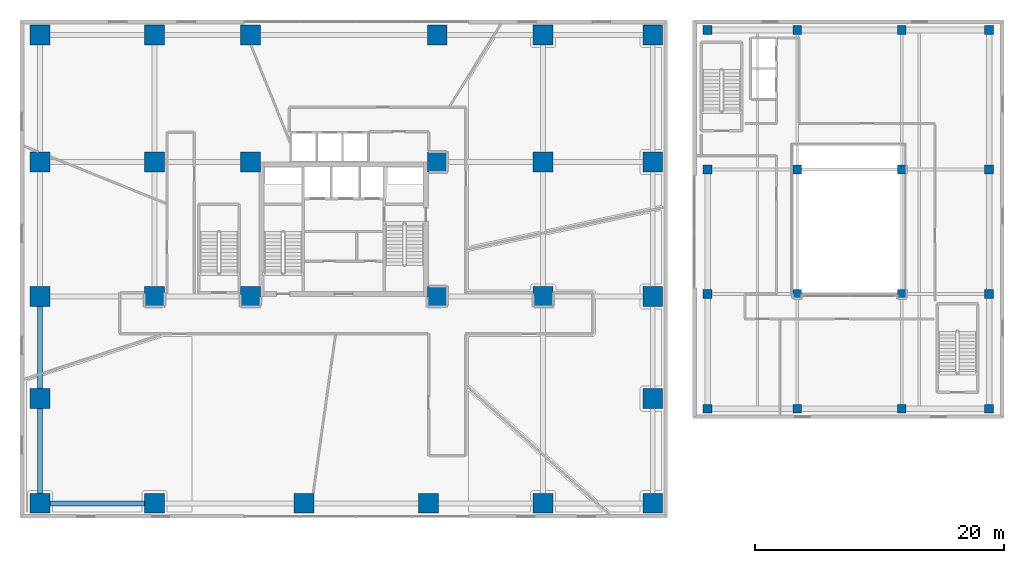
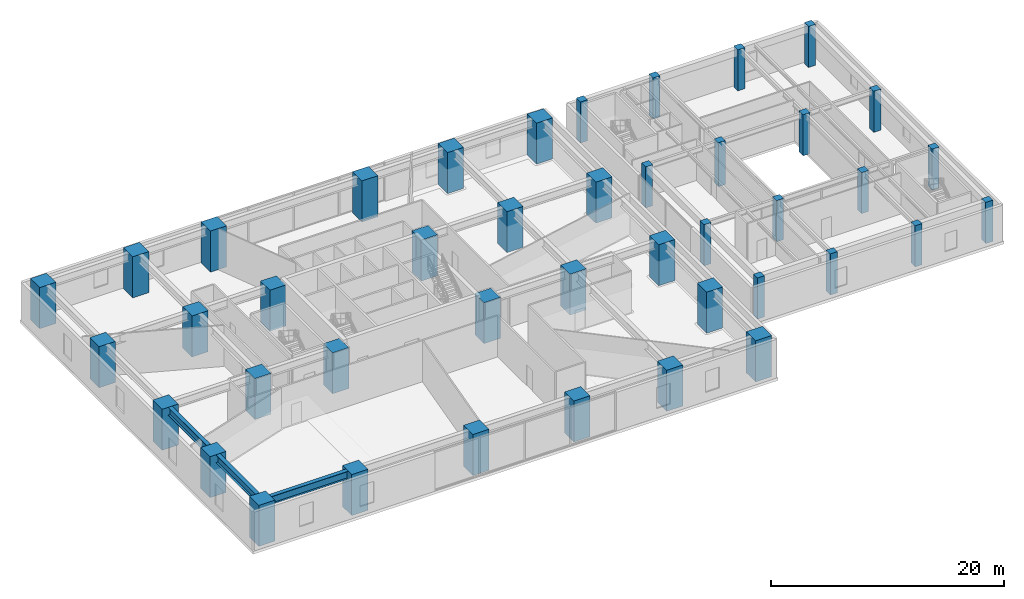
# One storey, part 1 of 24: 42 columns, 3 beams.
"""IFC4 building model written with IfcOpenShell, lengths in metres."""

from ifc_helpers import new_model, si_unit, direction, frame, origin, origin_2d, place, context, subcontext, project, spatial, rectangle, i_section, extrude, material, material_profile, profile_set, type_object, element, save


model = new_model("IFC4")

# Units and contexts
model_context = context("Model", 3, precision=1e-05, world=origin(), true_north=direction((0.0, 1.0)))
body_context = subcontext(model_context, "Body", "Model", "MODEL_VIEW")
ifc_project = project(units=[si_unit("LENGTHUNIT", "METRE"), si_unit("AREAUNIT", "SQUARE_METRE"), si_unit("VOLUMEUNIT", "CUBIC_METRE"), si_unit("PLANEANGLEUNIT", "RADIAN"), si_unit("MASSUNIT", "GRAM", prefix="KILO")], contexts=[model_context])

# Site, building, storey
site_placement = place(None, origin())
site = spatial("IfcSite", under=ifc_project, at=site_placement, CompositionType="ELEMENT")
building_placement = place(site_placement, origin())
building = spatial("IfcBuilding", under=site, at=building_placement, Name="Talar Marvaseh", CompositionType="ELEMENT")
storey_placement = place(building_placement, frame((0.0, 0.0, 9.800048828125)))
storey = spatial("IfcBuildingStorey", under=building, at=storey_placement, Name="L02", CompositionType="ELEMENT", Elevation=9.800048828125)

# Columns
ifc_material_1 = material(Name="Concrete C40/50", Category="concrete")
ifc_material_profile_1 = material_profile(ifc_material_1, rectangle(XDim=0.699951171875, YDim=0.699951171875, at=origin_2d()), Name="RC700x700")
ifc_profile_set_1 = profile_set([ifc_material_profile_1], Name="Concrete C40/50")
column_type_1 = type_object("IfcColumnType", Name="Market Hall Column RC700x700", PredefinedType="COLUMN", material=ifc_profile_set_1)
for number, where, z_axis, x_axis, name in (
    (1, (55.199951171875, 16.800048828125, 0.0), (0.0, 0.0, 1.0), (1.0, 0.0, 0.0), "L02 Market Hall Column RC700x700"),
    (2, (55.199951171875, 26.0, 0.0), (0.0, 0.0, 1.0), (1.0, 0.0, 0.0), "L02 Market Hall Column RC700x700"),
    (3, (55.199951171875, 36.0, 0.0), (0.0, 0.0, 1.0), (1.0, 0.0, 0.0), "L02 Market Hall Column RC700x700"),
    (4, (55.199951171875, 47.199951171875, 0.0), (0.0, 0.0, 1.0), (1.0, 0.0, 0.0), "L02 Market Hall Column RC700x700"),
    (5, (62.39990234375, 16.800048828125, 0.0), (0.0, 0.0, 1.0), (1.0, 0.0, 0.0), "L02 Market Hall Column RC700x700"),
    (6, (62.39990234375, 26.0, 0.0), (0.0, 0.0, 1.0), (1.0, 0.0, 0.0), "L02 Market Hall Column RC700x700"),
):
    element("IfcColumn", number, at=place(storey_placement, frame(where, z_axis=z_axis, x_axis=x_axis)), inside=storey, type_object=column_type_1, Name=name, PredefinedType="COLUMN", context=body_context, shape_type="SweptSolid", body=[
        extrude(rectangle(XDim=0.699951171875, YDim=0.699951171875, at=origin_2d()), origin(), (0.0, 0.0, 1.0), 4.300048828125),
    ])
column_placement = place(storey_placement, frame((62.39990234375, 36.0, -0.300048828125), z_axis=(0.0, 0.0, 1.0), x_axis=(1.0, 0.0, 0.0)))
element("IfcColumn", 7, at=column_placement, inside=storey, type_object=column_type_1, Name="L02 Market Hall Column RC700x700", PredefinedType="COLUMN", context=body_context, shape_type="SweptSolid", body=[
    extrude(rectangle(XDim=0.699951171875, YDim=0.699951171875, at=origin_2d()), origin(), (0.0, 0.0, 1.0), 4.60009765625),
])
for number, where, z_axis, x_axis, name in (
    (8, (62.39990234375, 47.199951171875, 0.0), (0.0, 0.0, 1.0), (1.0, 0.0, 0.0), "L02 Market Hall Column RC700x700"),
    (9, (70.800048828125, 16.800048828125, 0.0), (0.0, 0.0, 1.0), (1.0, 0.0, 0.0), "L02 Market Hall Column RC700x700"),
    (10, (70.800048828125, 26.0, 0.0), (0.0, 0.0, 1.0), (1.0, 0.0, 0.0), "L02 Market Hall Column RC700x700"),
    (11, (70.800048828125, 36.0, 0.0), (0.0, 0.0, 1.0), (1.0, 0.0, 0.0), "L02 Market Hall Column RC700x700"),
    (12, (70.800048828125, 47.199951171875, 0.0), (0.0, 0.0, 1.0), (1.0, 0.0, 0.0), "L02 Market Hall Column RC700x700"),
    (13, (77.800048828125, 16.800048828125, 0.0), (0.0, 0.0, 1.0), (1.0, 0.0, 0.0), "L02 Market Hall Column RC700x700"),
    (14, (77.800048828125, 26.0, 0.0), (0.0, 0.0, 1.0), (1.0, 0.0, 0.0), "L02 Market Hall Column RC700x700"),
    (15, (77.800048828125, 36.0, 0.0), (0.0, 0.0, 1.0), (1.0, 0.0, 0.0), "L02 Market Hall Column RC700x700"),
    (16, (77.800048828125, 47.199951171875, 0.0), (0.0, 0.0, 1.0), (1.0, 0.0, 0.0), "L02 Market Hall Column RC700x700"),
):
    element("IfcColumn", number, at=place(storey_placement, frame(where, z_axis=z_axis, x_axis=x_axis)), inside=storey, type_object=column_type_1, Name=name, PredefinedType="COLUMN", context=body_context, shape_type="SweptSolid", body=[
        extrude(rectangle(XDim=0.699951171875, YDim=0.699951171875, at=origin_2d()), origin(), (0.0, 0.0, 1.0), 4.300048828125),
    ])
ifc_material_2 = material(Name="Concrete C70/85", Category="concrete")
ifc_material_profile_2 = material_profile(ifc_material_2, rectangle(XDim=1.60009765625, YDim=1.60009765625, at=origin_2d()), Name="RC1600x1600")
ifc_profile_set_2 = profile_set([ifc_material_profile_2], Name="Concrete C70/85")
column_type_2 = type_object("IfcColumnType", Name="Tower Mega Column RC1600x1600", PredefinedType="COLUMN", material=ifc_profile_set_2)
for number, where, z_axis, x_axis, name in (
    (17, (1.60009765625, 9.199951171875, 0.0), (0.0, 0.0, 1.0), (1.0, 0.0, 0.0), "L02 Tower Mega Column RC1600x1600"),
    (18, (1.60009765625, 17.60009765625, 0.0), (0.0, 0.0, 1.0), (1.0, 0.0, 0.0), "L02 Tower Mega Column RC1600x1600"),
    (19, (1.60009765625, 25.800048828125, 0.0), (0.0, 0.0, 1.0), (1.0, 0.0, 0.0), "L02 Tower Mega Column RC1600x1600"),
    (20, (1.60009765625, 36.60009765625, 0.0), (0.0, 0.0, 1.0), (1.0, 0.0, 0.0), "L02 Tower Mega Column RC1600x1600"),
    (21, (1.60009765625, 46.800048828125, 0.0), (0.0, 0.0, 1.0), (1.0, 0.0, 0.0), "L02 Tower Mega Column RC1600x1600"),
    (22, (50.800048828125, 9.199951171875, 0.0), (0.0, 0.0, 1.0), (1.0, 0.0, 0.0), "L02 Tower Mega Column RC1600x1600"),
    (23, (50.800048828125, 17.60009765625, 0.0), (0.0, 0.0, 1.0), (1.0, 0.0, 0.0), "L02 Tower Mega Column RC1600x1600"),
    (24, (50.800048828125, 25.800048828125, 0.0), (0.0, 0.0, 1.0), (1.0, 0.0, 0.0), "L02 Tower Mega Column RC1600x1600"),
    (25, (50.800048828125, 36.60009765625, 0.0), (0.0, 0.0, 1.0), (1.0, 0.0, 0.0), "L02 Tower Mega Column RC1600x1600"),
    (26, (50.800048828125, 46.800048828125, 0.0), (0.0, 0.0, 1.0), (1.0, 0.0, 0.0), "L02 Tower Mega Column RC1600x1600"),
    (27, (10.800048828125, 9.199951171875, 0.0), (0.0, 0.0, 1.0), (1.0, 0.0, 0.0), "L02 Tower Mega Column RC1600x1600"),
    (28, (22.800048828125, 9.199951171875, 0.0), (0.0, 0.0, 1.0), (1.0, 0.0, 0.0), "L02 Tower Mega Column RC1600x1600"),
    (29, (32.800048828125, 9.199951171875, 0.0), (0.0, 0.0, 1.0), (1.0, 0.0, 0.0), "L02 Tower Mega Column RC1600x1600"),
    (30, (42.0, 9.199951171875, 0.0), (0.0, 0.0, 1.0), (1.0, 0.0, 0.0), "L02 Tower Mega Column RC1600x1600"),
    (31, (10.800048828125, 46.800048828125, 0.0), (0.0, 0.0, 1.0), (1.0, 0.0, 0.0), "L02 Tower Mega Column RC1600x1600"),
    (32, (18.5, 46.800048828125, 0.0), (0.0, 0.0, 1.0), (1.0, 0.0, 0.0), "L02 Tower Mega Column RC1600x1600"),
    (33, (33.5, 46.800048828125, 0.0), (0.0, 0.0, 1.0), (1.0, 0.0, 0.0), "L02 Tower Mega Column RC1600x1600"),
    (34, (42.0, 46.800048828125, 0.0), (0.0, 0.0, 1.0), (1.0, 0.0, 0.0), "L02 Tower Mega Column RC1600x1600"),
    (35, (10.800048828125, 25.800048828125, 0.0), (0.0, 0.0, 1.0), (1.0, 0.0, 0.0), "L02 Tower Mega Column RC1600x1600"),
    (36, (10.800048828125, 36.60009765625, 0.0), (0.0, 0.0, 1.0), (1.0, 0.0, 0.0), "L02 Tower Mega Column RC1600x1600"),
    (37, (18.5, 25.800048828125, 0.0), (0.0, 0.0, 1.0), (1.0, 0.0, 0.0), "L02 Tower Mega Column RC1600x1600"),
    (38, (18.5, 36.60009765625, 0.0), (0.0, 0.0, 1.0), (1.0, 0.0, 0.0), "L02 Tower Mega Column RC1600x1600"),
    (39, (33.5, 25.800048828125, 0.0), (0.0, 0.0, 1.0), (1.0, 0.0, 0.0), "L02 Tower Mega Column RC1600x1600"),
    (40, (33.5, 36.60009765625, 0.0), (0.0, 0.0, 1.0), (1.0, 0.0, 0.0), "L02 Tower Mega Column RC1600x1600"),
    (41, (42.0, 25.800048828125, 0.0), (0.0, 0.0, 1.0), (1.0, 0.0, 0.0), "L02 Tower Mega Column RC1600x1600"),
    (42, (42.0, 36.60009765625, 0.0), (0.0, 0.0, 1.0), (1.0, 0.0, 0.0), "L02 Tower Mega Column RC1600x1600"),
):
    element("IfcColumn", number, at=place(storey_placement, frame(where, z_axis=z_axis, x_axis=x_axis)), inside=storey, type_object=column_type_2, Name=name, PredefinedType="COLUMN", context=body_context, shape_type="SweptSolid", body=[
        extrude(rectangle(XDim=1.60009765625, YDim=1.60009765625, at=origin_2d()), origin(), (0.0, 0.0, 1.0), 4.300048828125),
    ])

# Beams
ifc_material_3 = material(Name="Steel S355", Category="steel")
ifc_material_profile_3 = material_profile(ifc_material_3, i_section(OverallWidth=0.39990234375, OverallDepth=0.85498046875, WebThickness=0.018310546875, FlangeThickness=0.029296875, at=origin_2d()), Name="W840x299")
ifc_profile_set_3 = profile_set([ifc_material_profile_3], Name="Steel S355")
beam_type = type_object("IfcBeamType", Name="Concourse Primary Girder W840x299", PredefinedType="BEAM", material=ifc_profile_set_3)
beam_1_placement = place(storey_placement, frame((1.60009765625, 9.199951171875, 3.87255859375), z_axis=(1.0, 0.0, 0.0), x_axis=(0.0, 1.0, 0.0)))
element("IfcBeam", 43, at=beam_1_placement, inside=storey, type_object=beam_type, Name="L02 Concourse Primary Girder W840x299", PredefinedType="BEAM", context=body_context, shape_type="SweptSolid", body=[
    extrude(i_section(OverallWidth=0.39990234375, OverallDepth=0.85498046875, WebThickness=0.018310546875, FlangeThickness=0.029296875, at=origin_2d()), origin(), (0.0, 0.0, 1.0), 9.199951171875),
])
beam_2_placement = place(storey_placement, frame((1.60009765625, 9.199951171875, 3.87255859375), z_axis=(0.0, 1.0, 0.0), x_axis=(-1.0, 0.0, 0.0)))
element("IfcBeam", 44, at=beam_2_placement, inside=storey, type_object=beam_type, Name="L02 Concourse Primary Girder W840x299", PredefinedType="BEAM", context=body_context, shape_type="SweptSolid", body=[
    extrude(i_section(OverallWidth=0.39990234375, OverallDepth=0.85498046875, WebThickness=0.018310546875, FlangeThickness=0.029296875, at=origin_2d()), origin(), (0.0, 0.0, 1.0), 8.400146484375),
])
beam_3_placement = place(storey_placement, frame((1.60009765625, 17.60009765625, 3.87255859375), z_axis=(0.0, 1.0, 0.0), x_axis=(-1.0, 0.0, 0.0)))
element("IfcBeam", 45, at=beam_3_placement, inside=storey, type_object=beam_type, Name="L02 Concourse Primary Girder W840x299", PredefinedType="BEAM", context=body_context, shape_type="SweptSolid", body=[
    extrude(i_section(OverallWidth=0.39990234375, OverallDepth=0.85498046875, WebThickness=0.018310546875, FlangeThickness=0.029296875, at=origin_2d()), origin(), (0.0, 0.0, 1.0), 8.199951171875),
])

save(model, "model.ifc")
